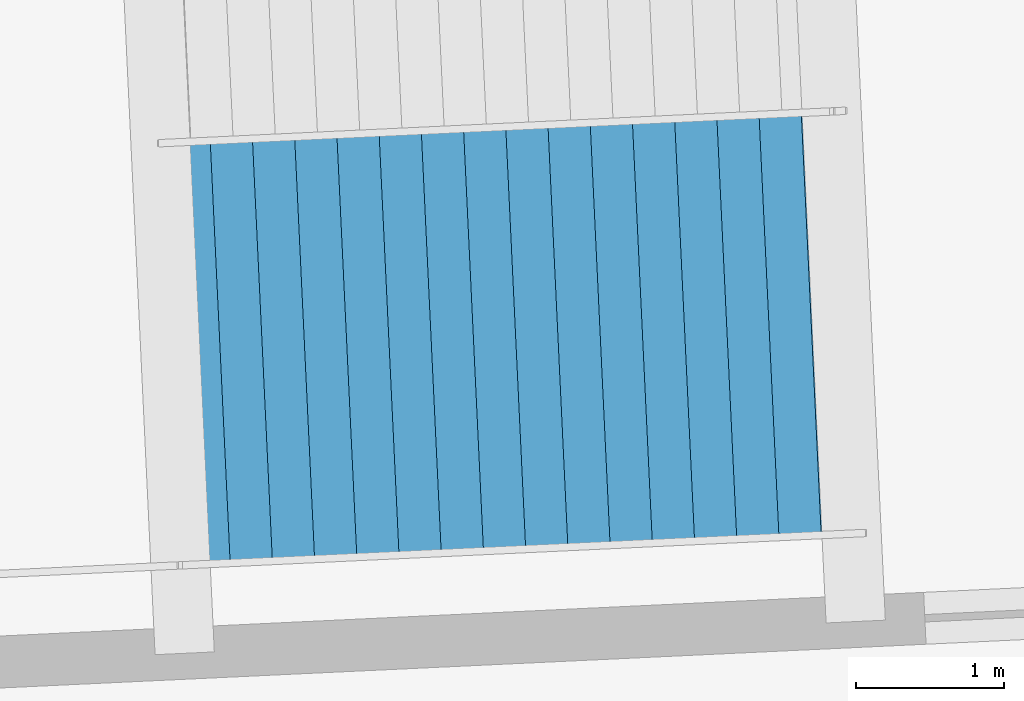
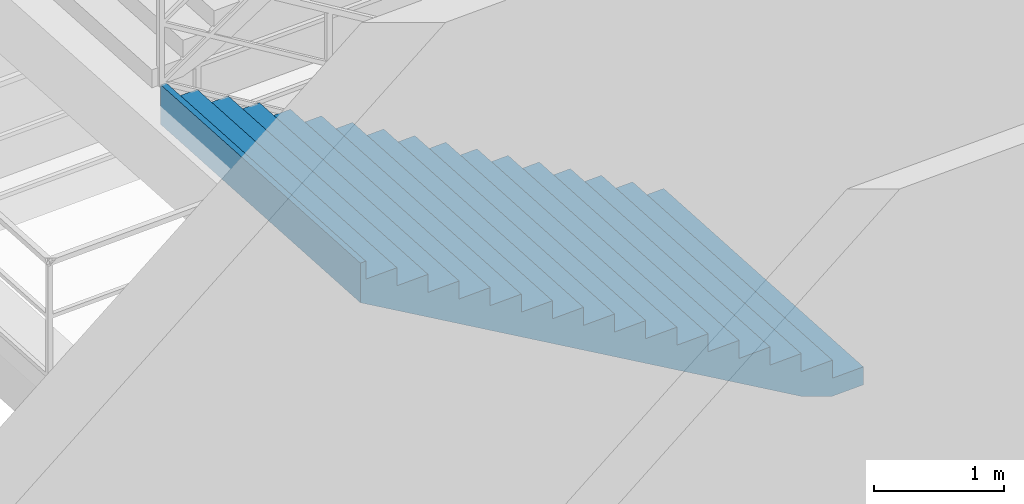
# One storey, part 37 of 48: 1 stair flight, 1 element without a shape of its own.
"""IFC4 building model written with IfcOpenShell, lengths in metres."""

from ifc_helpers import new_model, si_unit, direction, frame, origin, place, context, subcontext, project, spatial, polygons, material, type_object, element, aggregate, save


model = new_model("IFC4")

# Units and contexts
model_context = context("Model", 3, precision=1e-05, world=origin(), true_north=direction((0.0, 1.0)))
body_context = subcontext(model_context, "Body", "Model", "MODEL_VIEW")
ifc_project = project(units=[si_unit("LENGTHUNIT", "METRE"), si_unit("AREAUNIT", "SQUARE_METRE"), si_unit("VOLUMEUNIT", "CUBIC_METRE"), si_unit("PLANEANGLEUNIT", "RADIAN"), si_unit("MASSUNIT", "GRAM", prefix="KILO")], contexts=[model_context])

# Site, building, storey
site_placement = place(None, origin())
site = spatial("IfcSite", under=ifc_project, at=site_placement, CompositionType="ELEMENT")
building_placement = place(site_placement, origin())
building = spatial("IfcBuilding", under=site, at=building_placement, Name="Kazemori Nagisa Stadium", CompositionType="ELEMENT")
storey_placement = place(building_placement, origin())
storey = spatial("IfcBuildingStorey", under=building, at=storey_placement, Name="L00", CompositionType="ELEMENT", Elevation=0.0)

# Stair, stair flight
ifc_material = material(Name="Concrete C36/45 (Fc36)", Category="concrete")
stair_type = type_object("IfcStairType", Name="Stair_CORE_34", PredefinedType="TWO_STRAIGHT_RUN_STAIR", material=ifc_material)
stair_placement = place(storey_placement, origin())
stair = element("IfcStair", 1, at=stair_placement, inside=storey, type_object=stair_type, Name="Exit stair ST05 L00", PredefinedType="TWO_STRAIGHT_RUN_STAIR")
stair_flight_type = type_object("IfcStairFlightType", Name="Flight_CORE_17", PredefinedType="STRAIGHT", material=ifc_material)
stair_flight_placement = place(storey_placement, frame((119.465087890625, 180.565673828125, 0.0), z_axis=(0.0, 0.0, 1.0), x_axis=(-0.998884431224, -0.047221743492, 0.0)))
stair_flight = element("IfcStairFlight", 2, at=stair_flight_placement, type_object=stair_flight_type, Name="Exit stair ST05 L00 flight 1", NumberOfRisers=17, NumberOfTreads=16, PredefinedType="STRAIGHT", RiserHeight=0.17, TreadLength=0.285, context=body_context, shape_type="Tessellation", body=[
    polygons([(0.0, -1.425048828125, 0.0), (0.0, -1.425048828125, 0.169921875), (0.284912109375, -1.425048828125, 0.169921875), (0.284912109375, -1.425048828125, 0.340087890625), (0.570068359375, -1.425048828125, 0.340087890625), (0.570068359375, -1.425048828125, 0.510009765625), (0.85498046875, -1.425048828125, 0.510009765625), (0.85498046875, -1.425048828125, 0.679931640625), (1.139892578125, -1.425048828125, 0.679931640625), (1.139892578125, -1.425048828125, 0.85009765625), (1.425048828125, -1.425048828125, 0.85009765625), (1.425048828125, -1.425048828125, 1.02001953125), (1.7099609375, -1.425048828125, 1.02001953125), (1.7099609375, -1.425048828125, 1.18994140625), (1.9951171875, -1.425048828125, 1.18994140625), (1.9951171875, -1.425048828125, 1.360107421875), (2.280029296875, -1.425048828125, 1.360107421875), (2.280029296875, -1.425048828125, 1.530029296875), (2.56494140625, -1.425048828125, 1.530029296875), (2.56494140625, -1.425048828125, 1.699951171875), (2.85009765625, -1.425048828125, 1.699951171875), (2.85009765625, -1.425048828125, 1.8701171875), (3.135009765625, -1.425048828125, 1.8701171875), (3.135009765625, -1.425048828125, 2.0400390625), (3.419921875, -1.425048828125, 2.0400390625), (3.419921875, -1.425048828125, 2.2099609375), (3.705078125, -1.425048828125, 2.2099609375), (3.705078125, -1.425048828125, 2.3798828125), (3.989990234375, -1.425048828125, 2.3798828125), (3.989990234375, -1.425048828125, 2.550048828125), (4.27490234375, -1.425048828125, 2.550048828125), (4.27490234375, -1.425048828125, 2.719970703125), (4.56005859375, -1.425048828125, 2.719970703125), (4.56005859375, -1.425048828125, 2.889892578125), (4.610107421875, -1.425048828125, 2.889892578125), (4.610107421875, -1.425048828125, 2.51708984375), (4.56005859375, -1.425048828125, 2.487060546875), (4.27490234375, -1.425048828125, 2.317138671875), (3.989990234375, -1.425048828125, 2.147216796875), (3.705078125, -1.425048828125, 1.977294921875), (3.419921875, -1.425048828125, 1.80712890625), (3.135009765625, -1.425048828125, 1.63720703125), (2.85009765625, -1.425048828125, 1.46728515625), (2.56494140625, -1.425048828125, 1.297119140625), (2.280029296875, -1.425048828125, 1.127197265625), (1.9951171875, -1.425048828125, 0.957275390625), (1.7099609375, -1.425048828125, 0.787109375), (1.425048828125, -1.425048828125, 0.6171875), (1.139892578125, -1.425048828125, 0.447265625), (0.85498046875, -1.425048828125, 0.277099609375), (0.570068359375, -1.425048828125, 0.107177734375), (0.284912109375, -1.425048828125, 0.0), (0.0, -0.08544921875, 0.0), (0.0, -0.08544921875, 0.169921875), (0.284912109375, -0.08544921875, 0.169921875), (0.284912109375, -0.08544921875, 0.340087890625), (0.570068359375, -0.08544921875, 0.340087890625), (0.570068359375, -0.08544921875, 0.510009765625), (0.85498046875, -0.08544921875, 0.510009765625), (0.85498046875, -0.08544921875, 0.679931640625), (1.139892578125, -0.08544921875, 0.679931640625), (1.139892578125, -0.08544921875, 0.85009765625), (1.425048828125, -0.08544921875, 0.85009765625), (1.425048828125, -0.08544921875, 1.02001953125), (1.7099609375, -0.08544921875, 1.02001953125), (1.7099609375, -0.08544921875, 1.18994140625), (1.9951171875, -0.08544921875, 1.18994140625), (1.9951171875, -0.08544921875, 1.360107421875), (2.280029296875, -0.08544921875, 1.360107421875), (2.280029296875, -0.08544921875, 1.530029296875), (2.56494140625, -0.08544921875, 1.530029296875), (2.56494140625, -0.08544921875, 1.699951171875), (2.85009765625, -0.08544921875, 1.699951171875), (2.85009765625, -0.08544921875, 1.8701171875), (3.135009765625, -0.08544921875, 1.8701171875), (3.135009765625, -0.08544921875, 2.0400390625), (3.419921875, -0.08544921875, 2.0400390625), (3.419921875, -0.08544921875, 2.2099609375), (3.705078125, -0.08544921875, 2.2099609375), (3.705078125, -0.08544921875, 2.3798828125), (3.989990234375, -0.08544921875, 2.3798828125), (3.989990234375, -0.08544921875, 2.550048828125), (4.27490234375, -0.08544921875, 2.550048828125), (4.27490234375, -0.08544921875, 2.719970703125), (4.56005859375, -0.08544921875, 2.719970703125), (4.56005859375, -0.08544921875, 2.889892578125), (4.610107421875, -0.08544921875, 2.889892578125), (4.610107421875, -0.08544921875, 2.51708984375), (4.56005859375, -0.08544921875, 2.487060546875), (4.27490234375, -0.08544921875, 2.317138671875), (3.989990234375, -0.08544921875, 2.147216796875), (3.705078125, -0.08544921875, 1.977294921875), (3.419921875, -0.08544921875, 1.80712890625), (3.135009765625, -0.08544921875, 1.63720703125), (2.85009765625, -0.08544921875, 1.46728515625), (2.56494140625, -0.08544921875, 1.297119140625), (2.280029296875, -0.08544921875, 1.127197265625), (1.9951171875, -0.08544921875, 0.957275390625), (1.7099609375, -0.08544921875, 0.787109375), (1.425048828125, -0.08544921875, 0.6171875), (1.139892578125, -0.08544921875, 0.447265625), (0.85498046875, -0.08544921875, 0.277099609375), (0.570068359375, -0.08544921875, 0.107177734375), (0.284912109375, -0.08544921875, 0.0), (0.0, 0.0, 0.0), (0.0, 0.0, 0.169921875), (0.284912109375, 0.0, 0.169921875), (0.284912109375, 0.0, 0.340087890625), (0.570068359375, 0.0, 0.340087890625), (0.570068359375, 0.0, 0.510009765625), (0.85498046875, 0.0, 0.510009765625), (0.85498046875, 0.0, 0.679931640625), (1.139892578125, 0.0, 0.679931640625), (1.139892578125, 0.0, 0.85009765625), (1.425048828125, 0.0, 0.85009765625), (1.425048828125, 0.0, 1.02001953125), (1.7099609375, 0.0, 1.02001953125), (1.7099609375, 0.0, 1.18994140625), (1.9951171875, 0.0, 1.18994140625), (1.9951171875, 0.0, 1.360107421875), (2.280029296875, 0.0, 1.360107421875), (2.280029296875, 0.0, 1.530029296875), (2.56494140625, 0.0, 1.530029296875), (2.56494140625, 0.0, 1.699951171875), (2.85009765625, 0.0, 1.699951171875), (2.85009765625, 0.0, 1.8701171875), (3.135009765625, 0.0, 1.8701171875), (3.135009765625, 0.0, 2.0400390625), (3.419921875, 0.0, 2.0400390625), (3.419921875, 0.0, 2.2099609375), (3.705078125, 0.0, 2.2099609375), (3.705078125, 0.0, 2.3798828125), (3.989990234375, 0.0, 2.3798828125), (3.989990234375, 0.0, 2.550048828125), (4.27490234375, 0.0, 2.550048828125), (4.27490234375, 0.0, 2.719970703125), (4.56005859375, 0.0, 2.719970703125), (4.56005859375, 0.0, 2.889892578125), (4.610107421875, 0.0, 2.889892578125), (4.610107421875, 0.0, 2.51708984375), (4.56005859375, 0.0, 2.487060546875), (4.27490234375, 0.0, 2.317138671875), (3.989990234375, 0.0, 2.147216796875), (3.705078125, 0.0, 1.977294921875), (3.419921875, 0.0, 1.80712890625), (3.135009765625, 0.0, 1.63720703125), (2.85009765625, 0.0, 1.46728515625), (2.56494140625, 0.0, 1.297119140625), (2.280029296875, 0.0, 1.127197265625), (1.9951171875, 0.0, 0.957275390625), (1.7099609375, 0.0, 0.787109375), (1.425048828125, 0.0, 0.6171875), (1.139892578125, 0.0, 0.447265625), (0.85498046875, 0.0, 0.277099609375), (0.570068359375, 0.0, 0.107177734375), (0.284912109375, 0.0, 0.0), (0.0, 0.08544921875, 0.0), (0.0, 0.08544921875, 0.169921875), (0.284912109375, 0.08544921875, 0.169921875), (0.284912109375, 0.08544921875, 0.340087890625), (0.570068359375, 0.08544921875, 0.340087890625), (0.570068359375, 0.08544921875, 0.510009765625), (0.85498046875, 0.08544921875, 0.510009765625), (0.85498046875, 0.08544921875, 0.679931640625), (1.139892578125, 0.08544921875, 0.679931640625), (1.139892578125, 0.08544921875, 0.85009765625), (1.425048828125, 0.08544921875, 0.85009765625), (1.425048828125, 0.08544921875, 1.02001953125), (1.7099609375, 0.08544921875, 1.02001953125), (1.7099609375, 0.08544921875, 1.18994140625), (1.9951171875, 0.08544921875, 1.18994140625), (1.9951171875, 0.08544921875, 1.360107421875), (2.280029296875, 0.08544921875, 1.360107421875), (2.280029296875, 0.08544921875, 1.530029296875), (2.56494140625, 0.08544921875, 1.530029296875), (2.56494140625, 0.08544921875, 1.699951171875), (2.85009765625, 0.08544921875, 1.699951171875), (2.85009765625, 0.08544921875, 1.8701171875), (3.135009765625, 0.08544921875, 1.8701171875), (3.135009765625, 0.08544921875, 2.0400390625), (3.419921875, 0.08544921875, 2.0400390625), (3.419921875, 0.08544921875, 2.2099609375), (3.705078125, 0.08544921875, 2.2099609375), (3.705078125, 0.08544921875, 2.3798828125), (3.989990234375, 0.08544921875, 2.3798828125), (3.989990234375, 0.08544921875, 2.550048828125), (4.27490234375, 0.08544921875, 2.550048828125), (4.27490234375, 0.08544921875, 2.719970703125), (4.56005859375, 0.08544921875, 2.719970703125), (4.56005859375, 0.08544921875, 2.889892578125), (4.610107421875, 0.08544921875, 2.889892578125), (4.610107421875, 0.08544921875, 2.51708984375), (4.56005859375, 0.08544921875, 2.487060546875), (4.27490234375, 0.08544921875, 2.317138671875), (3.989990234375, 0.08544921875, 2.147216796875), (3.705078125, 0.08544921875, 1.977294921875), (3.419921875, 0.08544921875, 1.80712890625), (3.135009765625, 0.08544921875, 1.63720703125), (2.85009765625, 0.08544921875, 1.46728515625), (2.56494140625, 0.08544921875, 1.297119140625), (2.280029296875, 0.08544921875, 1.127197265625), (1.9951171875, 0.08544921875, 0.957275390625), (1.7099609375, 0.08544921875, 0.787109375), (1.425048828125, 0.08544921875, 0.6171875), (1.139892578125, 0.08544921875, 0.447265625), (0.85498046875, 0.08544921875, 0.277099609375), (0.570068359375, 0.08544921875, 0.107177734375), (0.284912109375, 0.08544921875, 0.0), (0.0, 1.425048828125, 0.0), (0.0, 1.425048828125, 0.169921875), (0.284912109375, 1.425048828125, 0.169921875), (0.284912109375, 1.425048828125, 0.340087890625), (0.570068359375, 1.425048828125, 0.340087890625), (0.570068359375, 1.425048828125, 0.510009765625), (0.85498046875, 1.425048828125, 0.510009765625), (0.85498046875, 1.425048828125, 0.679931640625), (1.139892578125, 1.425048828125, 0.679931640625), (1.139892578125, 1.425048828125, 0.85009765625), (1.425048828125, 1.425048828125, 0.85009765625), (1.425048828125, 1.425048828125, 1.02001953125), (1.7099609375, 1.425048828125, 1.02001953125), (1.7099609375, 1.425048828125, 1.18994140625), (1.9951171875, 1.425048828125, 1.18994140625), (1.9951171875, 1.425048828125, 1.360107421875), (2.280029296875, 1.425048828125, 1.360107421875), (2.280029296875, 1.425048828125, 1.530029296875), (2.56494140625, 1.425048828125, 1.530029296875), (2.56494140625, 1.425048828125, 1.699951171875), (2.85009765625, 1.425048828125, 1.699951171875), (2.85009765625, 1.425048828125, 1.8701171875), (3.135009765625, 1.425048828125, 1.8701171875), (3.135009765625, 1.425048828125, 2.0400390625), (3.419921875, 1.425048828125, 2.0400390625), (3.419921875, 1.425048828125, 2.2099609375), (3.705078125, 1.425048828125, 2.2099609375), (3.705078125, 1.425048828125, 2.3798828125), (3.989990234375, 1.425048828125, 2.3798828125), (3.989990234375, 1.425048828125, 2.550048828125), (4.27490234375, 1.425048828125, 2.550048828125), (4.27490234375, 1.425048828125, 2.719970703125), (4.56005859375, 1.425048828125, 2.719970703125), (4.56005859375, 1.425048828125, 2.889892578125), (4.610107421875, 1.425048828125, 2.889892578125), (4.610107421875, 1.425048828125, 2.51708984375), (4.56005859375, 1.425048828125, 2.487060546875), (4.27490234375, 1.425048828125, 2.317138671875), (3.989990234375, 1.425048828125, 2.147216796875), (3.705078125, 1.425048828125, 1.977294921875), (3.419921875, 1.425048828125, 1.80712890625), (3.135009765625, 1.425048828125, 1.63720703125), (2.85009765625, 1.425048828125, 1.46728515625), (2.56494140625, 1.425048828125, 1.297119140625), (2.280029296875, 1.425048828125, 1.127197265625), (1.9951171875, 1.425048828125, 0.957275390625), (1.7099609375, 1.425048828125, 0.787109375), (1.425048828125, 1.425048828125, 0.6171875), (1.139892578125, 1.425048828125, 0.447265625), (0.85498046875, 1.425048828125, 0.277099609375), (0.570068359375, 1.425048828125, 0.107177734375), (0.284912109375, 1.425048828125, 0.0)], [[[1, 2, 54]], [[1, 54, 53]], [[2, 3, 55]], [[2, 55, 54]], [[3, 4, 56]], [[3, 56, 55]], [[4, 5, 57]], [[4, 57, 56]], [[5, 6, 58]], [[5, 58, 57]], [[6, 7, 59]], [[6, 59, 58]], [[7, 8, 60]], [[7, 60, 59]], [[8, 9, 61]], [[8, 61, 60]], [[9, 10, 62]], [[9, 62, 61]], [[10, 11, 63]], [[10, 63, 62]], [[11, 12, 64]], [[11, 64, 63]], [[12, 13, 65]], [[12, 65, 64]], [[13, 14, 66]], [[13, 66, 65]], [[14, 15, 67]], [[14, 67, 66]], [[15, 16, 68]], [[15, 68, 67]], [[16, 17, 69]], [[16, 69, 68]], [[17, 18, 70]], [[17, 70, 69]], [[18, 19, 71]], [[18, 71, 70]], [[19, 20, 72]], [[19, 72, 71]], [[20, 21, 73]], [[20, 73, 72]], [[21, 22, 74]], [[21, 74, 73]], [[22, 23, 75]], [[22, 75, 74]], [[23, 24, 76]], [[23, 76, 75]], [[24, 25, 77]], [[24, 77, 76]], [[25, 26, 78]], [[25, 78, 77]], [[26, 27, 79]], [[26, 79, 78]], [[27, 28, 80]], [[27, 80, 79]], [[28, 29, 81]], [[28, 81, 80]], [[29, 30, 82]], [[29, 82, 81]], [[30, 31, 83]], [[30, 83, 82]], [[31, 32, 84]], [[31, 84, 83]], [[32, 33, 85]], [[32, 85, 84]], [[33, 34, 86]], [[33, 86, 85]], [[34, 35, 87]], [[34, 87, 86]], [[35, 36, 88]], [[35, 88, 87]], [[36, 37, 89]], [[36, 89, 88]], [[37, 38, 90]], [[37, 90, 89]], [[38, 39, 91]], [[38, 91, 90]], [[39, 40, 92]], [[39, 92, 91]], [[40, 41, 93]], [[40, 93, 92]], [[41, 42, 94]], [[41, 94, 93]], [[42, 43, 95]], [[42, 95, 94]], [[43, 44, 96]], [[43, 96, 95]], [[44, 45, 97]], [[44, 97, 96]], [[45, 46, 98]], [[45, 98, 97]], [[46, 47, 99]], [[46, 99, 98]], [[47, 48, 100]], [[47, 100, 99]], [[48, 49, 101]], [[48, 101, 100]], [[49, 50, 102]], [[49, 102, 101]], [[50, 51, 103]], [[50, 103, 102]], [[51, 52, 104]], [[51, 104, 103]], [[52, 1, 53]], [[52, 53, 104]], [[53, 54, 106]], [[53, 106, 105]], [[54, 55, 107]], [[54, 107, 106]], [[55, 56, 108]], [[55, 108, 107]], [[56, 57, 109]], [[56, 109, 108]], [[57, 58, 110]], [[57, 110, 109]], [[58, 59, 111]], [[58, 111, 110]], [[59, 60, 112]], [[59, 112, 111]], [[60, 61, 113]], [[60, 113, 112]], [[61, 62, 114]], [[61, 114, 113]], [[62, 63, 115]], [[62, 115, 114]], [[63, 64, 116]], [[63, 116, 115]], [[64, 65, 117]], [[64, 117, 116]], [[65, 66, 118]], [[65, 118, 117]], [[66, 67, 119]], [[66, 119, 118]], [[67, 68, 120]], [[67, 120, 119]], [[68, 69, 121]], [[68, 121, 120]], [[69, 70, 122]], [[69, 122, 121]], [[70, 71, 123]], [[70, 123, 122]], [[71, 72, 124]], [[71, 124, 123]], [[72, 73, 125]], [[72, 125, 124]], [[73, 74, 126]], [[73, 126, 125]], [[74, 75, 127]], [[74, 127, 126]], [[75, 76, 128]], [[75, 128, 127]], [[76, 77, 129]], [[76, 129, 128]], [[77, 78, 130]], [[77, 130, 129]], [[78, 79, 131]], [[78, 131, 130]], [[79, 80, 132]], [[79, 132, 131]], [[80, 81, 133]], [[80, 133, 132]], [[81, 82, 134]], [[81, 134, 133]], [[82, 83, 135]], [[82, 135, 134]], [[83, 84, 136]], [[83, 136, 135]], [[84, 85, 137]], [[84, 137, 136]], [[85, 86, 138]], [[85, 138, 137]], [[86, 87, 139]], [[86, 139, 138]], [[87, 88, 140]], [[87, 140, 139]], [[88, 89, 141]], [[88, 141, 140]], [[89, 90, 142]], [[89, 142, 141]], [[90, 91, 143]], [[90, 143, 142]], [[91, 92, 144]], [[91, 144, 143]], [[92, 93, 145]], [[92, 145, 144]], [[93, 94, 146]], [[93, 146, 145]], [[94, 95, 147]], [[94, 147, 146]], [[95, 96, 148]], [[95, 148, 147]], [[96, 97, 149]], [[96, 149, 148]], [[97, 98, 150]], [[97, 150, 149]], [[98, 99, 151]], [[98, 151, 150]], [[99, 100, 152]], [[99, 152, 151]], [[100, 101, 153]], [[100, 153, 152]], [[101, 102, 154]], [[101, 154, 153]], [[102, 103, 155]], [[102, 155, 154]], [[103, 104, 156]], [[103, 156, 155]], [[104, 53, 105]], [[104, 105, 156]], [[105, 106, 158]], [[105, 158, 157]], [[106, 107, 159]], [[106, 159, 158]], [[107, 108, 160]], [[107, 160, 159]], [[108, 109, 161]], [[108, 161, 160]], [[109, 110, 162]], [[109, 162, 161]], [[110, 111, 163]], [[110, 163, 162]], [[111, 112, 164]], [[111, 164, 163]], [[112, 113, 165]], [[112, 165, 164]], [[113, 114, 166]], [[113, 166, 165]], [[114, 115, 167]], [[114, 167, 166]], [[115, 116, 168]], [[115, 168, 167]], [[116, 117, 169]], [[116, 169, 168]], [[117, 118, 170]], [[117, 170, 169]], [[118, 119, 171]], [[118, 171, 170]], [[119, 120, 172]], [[119, 172, 171]], [[120, 121, 173]], [[120, 173, 172]], [[121, 122, 174]], [[121, 174, 173]], [[122, 123, 175]], [[122, 175, 174]], [[123, 124, 176]], [[123, 176, 175]], [[124, 125, 177]], [[124, 177, 176]], [[125, 126, 178]], [[125, 178, 177]], [[126, 127, 179]], [[126, 179, 178]], [[127, 128, 180]], [[127, 180, 179]], [[128, 129, 181]], [[128, 181, 180]], [[129, 130, 182]], [[129, 182, 181]], [[130, 131, 183]], [[130, 183, 182]], [[131, 132, 184]], [[131, 184, 183]], [[132, 133, 185]], [[132, 185, 184]], [[133, 134, 186]], [[133, 186, 185]], [[134, 135, 187]], [[134, 187, 186]], [[135, 136, 188]], [[135, 188, 187]], [[136, 137, 189]], [[136, 189, 188]], [[137, 138, 190]], [[137, 190, 189]], [[138, 139, 191]], [[138, 191, 190]], [[139, 140, 192]], [[139, 192, 191]], [[140, 141, 193]], [[140, 193, 192]], [[141, 142, 194]], [[141, 194, 193]], [[142, 143, 195]], [[142, 195, 194]], [[143, 144, 196]], [[143, 196, 195]], [[144, 145, 197]], [[144, 197, 196]], [[145, 146, 198]], [[145, 198, 197]], [[146, 147, 199]], [[146, 199, 198]], [[147, 148, 200]], [[147, 200, 199]], [[148, 149, 201]], [[148, 201, 200]], [[149, 150, 202]], [[149, 202, 201]], [[150, 151, 203]], [[150, 203, 202]], [[151, 152, 204]], [[151, 204, 203]], [[152, 153, 205]], [[152, 205, 204]], [[153, 154, 206]], [[153, 206, 205]], [[154, 155, 207]], [[154, 207, 206]], [[155, 156, 208]], [[155, 208, 207]], [[156, 105, 157]], [[156, 157, 208]], [[157, 158, 210]], [[157, 210, 209]], [[158, 159, 211]], [[158, 211, 210]], [[159, 160, 212]], [[159, 212, 211]], [[160, 161, 213]], [[160, 213, 212]], [[161, 162, 214]], [[161, 214, 213]], [[162, 163, 215]], [[162, 215, 214]], [[163, 164, 216]], [[163, 216, 215]], [[164, 165, 217]], [[164, 217, 216]], [[165, 166, 218]], [[165, 218, 217]], [[166, 167, 219]], [[166, 219, 218]], [[167, 168, 220]], [[167, 220, 219]], [[168, 169, 221]], [[168, 221, 220]], [[169, 170, 222]], [[169, 222, 221]], [[170, 171, 223]], [[170, 223, 222]], [[171, 172, 224]], [[171, 224, 223]], [[172, 173, 225]], [[172, 225, 224]], [[173, 174, 226]], [[173, 226, 225]], [[174, 175, 227]], [[174, 227, 226]], [[175, 176, 228]], [[175, 228, 227]], [[176, 177, 229]], [[176, 229, 228]], [[177, 178, 230]], [[177, 230, 229]], [[178, 179, 231]], [[178, 231, 230]], [[179, 180, 232]], [[179, 232, 231]], [[180, 181, 233]], [[180, 233, 232]], [[181, 182, 234]], [[181, 234, 233]], [[182, 183, 235]], [[182, 235, 234]], [[183, 184, 236]], [[183, 236, 235]], [[184, 185, 237]], [[184, 237, 236]], [[185, 186, 238]], [[185, 238, 237]], [[186, 187, 239]], [[186, 239, 238]], [[187, 188, 240]], [[187, 240, 239]], [[188, 189, 241]], [[188, 241, 240]], [[189, 190, 242]], [[189, 242, 241]], [[190, 191, 243]], [[190, 243, 242]], [[191, 192, 244]], [[191, 244, 243]], [[192, 193, 245]], [[192, 245, 244]], [[193, 194, 246]], [[193, 246, 245]], [[194, 195, 247]], [[194, 247, 246]], [[195, 196, 248]], [[195, 248, 247]], [[196, 197, 249]], [[196, 249, 248]], [[197, 198, 250]], [[197, 250, 249]], [[198, 199, 251]], [[198, 251, 250]], [[199, 200, 252]], [[199, 252, 251]], [[200, 201, 253]], [[200, 253, 252]], [[201, 202, 254]], [[201, 254, 253]], [[202, 203, 255]], [[202, 255, 254]], [[203, 204, 256]], [[203, 256, 255]], [[204, 205, 257]], [[204, 257, 256]], [[205, 206, 258]], [[205, 258, 257]], [[206, 207, 259]], [[206, 259, 258]], [[207, 208, 260]], [[207, 260, 259]], [[208, 157, 209]], [[208, 209, 260]], [[3, 2, 1]], [[209, 210, 211]], [[52, 3, 1]], [[209, 211, 260]], [[51, 3, 52]], [[260, 211, 259]], [[5, 3, 51]], [[259, 211, 213]], [[5, 4, 3]], [[211, 212, 213]], [[50, 5, 51]], [[259, 213, 258]], [[7, 5, 50]], [[258, 213, 215]], [[7, 6, 5]], [[213, 214, 215]], [[49, 7, 50]], [[258, 215, 257]], [[9, 7, 49]], [[257, 215, 217]], [[9, 8, 7]], [[215, 216, 217]], [[48, 9, 49]], [[257, 217, 256]], [[11, 9, 48]], [[256, 217, 219]], [[11, 10, 9]], [[217, 218, 219]], [[47, 11, 48]], [[256, 219, 255]], [[13, 11, 47]], [[255, 219, 221]], [[13, 12, 11]], [[219, 220, 221]], [[46, 13, 47]], [[255, 221, 254]], [[15, 13, 46]], [[254, 221, 223]], [[15, 14, 13]], [[221, 222, 223]], [[45, 15, 46]], [[254, 223, 253]], [[17, 15, 45]], [[253, 223, 225]], [[17, 16, 15]], [[223, 224, 225]], [[44, 17, 45]], [[253, 225, 252]], [[19, 17, 44]], [[252, 225, 227]], [[19, 18, 17]], [[225, 226, 227]], [[43, 19, 44]], [[252, 227, 251]], [[21, 19, 43]], [[251, 227, 229]], [[21, 20, 19]], [[227, 228, 229]], [[42, 21, 43]], [[251, 229, 250]], [[23, 21, 42]], [[250, 229, 231]], [[23, 22, 21]], [[229, 230, 231]], [[41, 23, 42]], [[250, 231, 249]], [[25, 23, 41]], [[249, 231, 233]], [[25, 24, 23]], [[231, 232, 233]], [[40, 25, 41]], [[249, 233, 248]], [[27, 25, 40]], [[248, 233, 235]], [[27, 26, 25]], [[233, 234, 235]], [[39, 27, 40]], [[248, 235, 247]], [[29, 27, 39]], [[247, 235, 237]], [[29, 28, 27]], [[235, 236, 237]], [[38, 29, 39]], [[247, 237, 246]], [[31, 29, 38]], [[246, 237, 239]], [[31, 30, 29]], [[237, 238, 239]], [[37, 31, 38]], [[246, 239, 245]], [[33, 31, 37]], [[245, 239, 241]], [[33, 32, 31]], [[239, 240, 241]], [[36, 33, 37]], [[245, 241, 244]], [[35, 33, 36]], [[244, 241, 243]], [[35, 34, 33]], [[241, 242, 243]]], closed=True),
])
aggregate(stair, [stair_flight])

save(model, "model.ifc")
